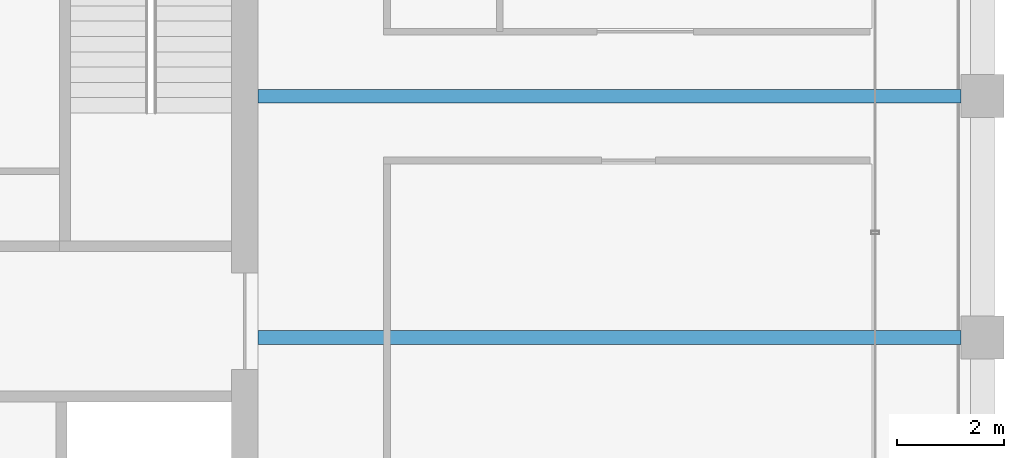
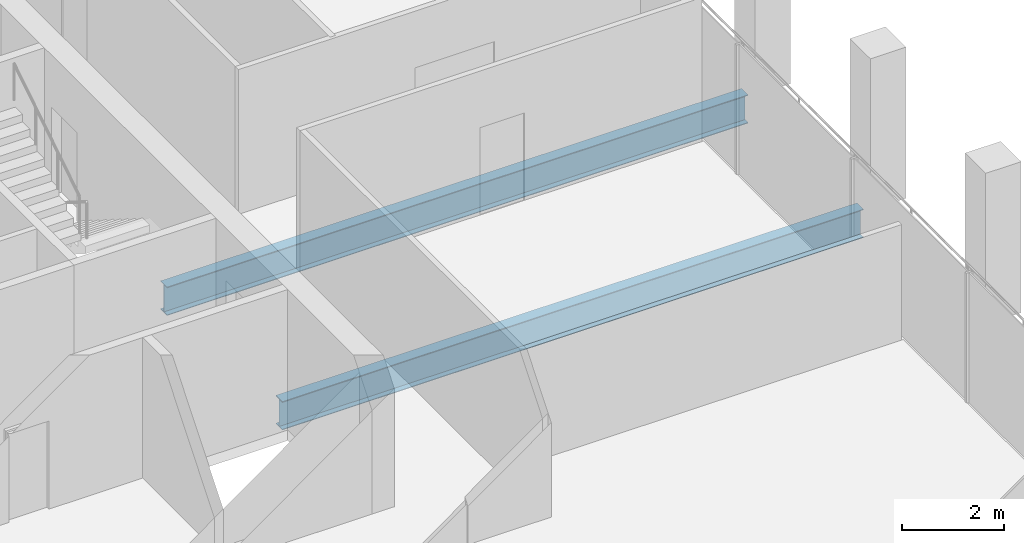
# One storey, part 16 of 30: 2 beams.
"""IFC4 building model written with IfcOpenShell, lengths in metres."""

from ifc_helpers import new_model, si_unit, direction, frame, origin, origin_2d, place, context, subcontext, project, spatial, i_section, extrude, material, material_profile, profile_set, type_object, element, save


model = new_model("IFC4")

# Units and contexts
model_context = context("Model", 3, precision=1e-05, world=origin(), true_north=direction((0.0, 1.0)))
body_context = subcontext(model_context, "Body", "Model", "MODEL_VIEW")
ifc_project = project(units=[si_unit("LENGTHUNIT", "METRE"), si_unit("AREAUNIT", "SQUARE_METRE"), si_unit("VOLUMEUNIT", "CUBIC_METRE"), si_unit("PLANEANGLEUNIT", "RADIAN"), si_unit("MASSUNIT", "GRAM", prefix="KILO")], contexts=[model_context])

# Site, building, storey
site_placement = place(None, origin())
site = spatial("IfcSite", under=ifc_project, at=site_placement, CompositionType="ELEMENT")
building_placement = place(site_placement, origin())
building = spatial("IfcBuilding", under=site, at=building_placement, Name="Altepetl Exchange Towers", CompositionType="ELEMENT")
storey_placement = place(building_placement, frame((0.0, 0.0, 238.800048828125)))
storey = spatial("IfcBuildingStorey", under=building, at=storey_placement, Name="L61", CompositionType="ELEMENT", Elevation=238.800048828125)

# Beams
ifc_material = material(Name="Steel S355", Category="steel")
ifc_material_profile = material_profile(ifc_material, i_section(OverallWidth=0.2529296875, OverallDepth=0.677978515625, WebThickness=0.01171875, FlangeThickness=0.016357421875, at=origin_2d()), Name="W27X84")
ifc_profile_set = profile_set([ifc_material_profile], Name="Steel S355")
beam_type = type_object("IfcBeamType", Name="Floor beam W27X84", PredefinedType="BEAM", material=ifc_profile_set)
for number, where, z_axis, x_axis, name in (
    (1, (58.5, 45.0, -0.489013671875), (1.0, 0.0, 0.0), (0.0, 1.0, 0.0), "bm:A:L61:009"),
    (2, (58.5, 49.5, -0.489013671875), (1.0, 0.0, 0.0), (0.0, 1.0, 0.0), "bm:A:L61:010"),
):
    element("IfcBeam", number, at=place(storey_placement, frame(where, z_axis=z_axis, x_axis=x_axis)), inside=storey, type_object=beam_type, Name=name, PredefinedType="BEAM", context=body_context, shape_type="SweptSolid", body=[
        extrude(i_section(OverallWidth=0.2529296875, OverallDepth=0.677978515625, WebThickness=0.01171875, FlangeThickness=0.016357421875, at=origin_2d()), origin(), (0.0, 0.0, 1.0), 13.10009765625),
    ])

save(model, "model.ifc")
